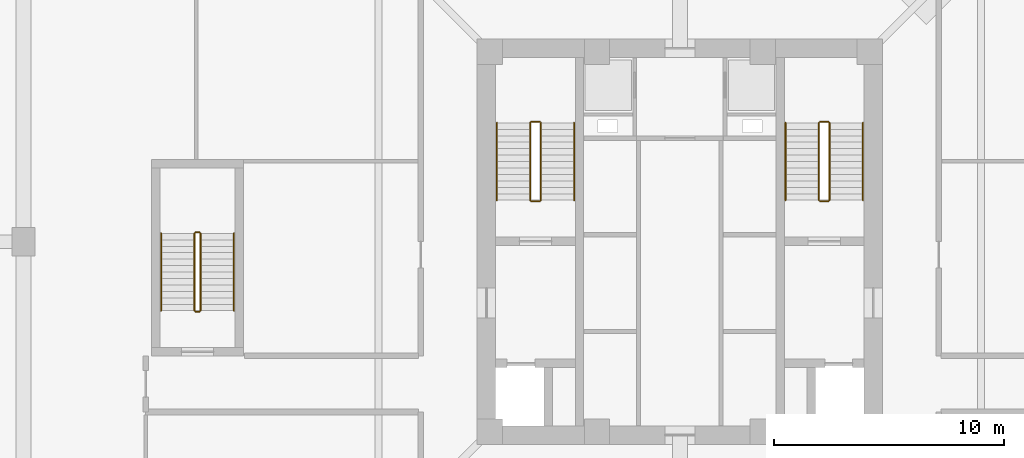
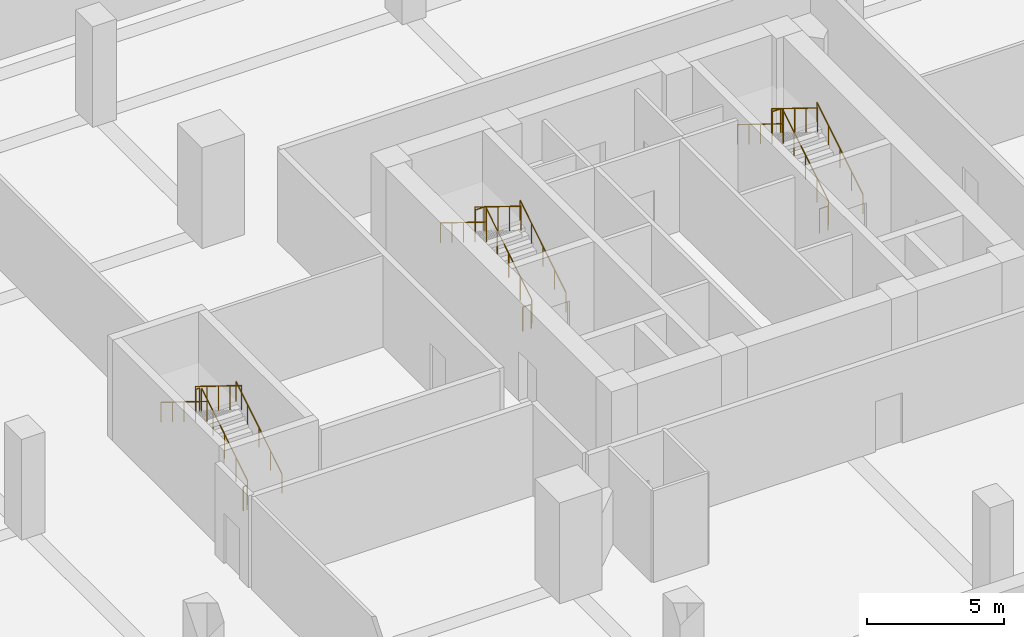
# One storey, part 6 of 9: 18 railings.
"""IFC4 building model written with IfcOpenShell, lengths in metres."""

from ifc_helpers import new_model, si_unit, direction, frame, origin, origin_2d, place, context, subcontext, project, spatial, circle, extrude, source, transform, mapped, material, type_object, element, save


model = new_model("IFC4")

# Units and contexts
model_context = context("Model", 3, precision=1e-05, world=origin(), true_north=direction((0.0, 1.0)))
body_context = subcontext(model_context, "Body", "Model", "MODEL_VIEW")
ifc_project = project(units=[si_unit("LENGTHUNIT", "METRE"), si_unit("AREAUNIT", "SQUARE_METRE"), si_unit("VOLUMEUNIT", "CUBIC_METRE"), si_unit("PLANEANGLEUNIT", "RADIAN"), si_unit("MASSUNIT", "GRAM", prefix="KILO"), si_unit("THERMODYNAMICTEMPERATUREUNIT", "KELVIN")], contexts=[model_context])

# Site, building, storey
site_placement = place(None, origin())
site = spatial("IfcSite", under=ifc_project, at=site_placement, CompositionType="ELEMENT")
building_placement = place(site_placement, origin())
building = spatial("IfcBuilding", under=site, at=building_placement, Name="Kosmvard Interchange Tower", CompositionType="ELEMENT")
storey_placement = place(building_placement, frame((0.0, 0.0, -4.5)))
storey = spatial("IfcBuildingStorey", under=building, at=storey_placement, Name="B01", CompositionType="ELEMENT", Elevation=-4.5)

# Railings
ifc_material = material(Name="Steel S355", Category="steel")
railing_type_1 = type_object("IfcRailingType", Name="Stair & Terrace Safety Guardrail 1100 Steel", PredefinedType="GUARDRAIL", material=ifc_material)
shared_shape_1 = source(origin(), body_context, "Body", "SweptSolid", [
    extrude(circle(Radius=0.02392578125, at=origin_2d()), frame((0.0, 0.0, 1.076171875), z_axis=(0.0, 0.850606129759, 0.525803396734), x_axis=(-1.0, 0.0, 0.0)), (0.0, 0.0, 1.0), 3.949951171875),
    extrude(circle(Radius=0.02099609375, at=origin_2d()), origin(), (0.0, 0.0, 1.0), 1.052001953125),
    extrude(circle(Radius=0.02099609375, at=origin_2d()), frame((0.0, 0.83984375, 0.519287109375)), (0.0, 0.0, 1.0), 1.052001953125),
    extrude(circle(Radius=0.02099609375, at=origin_2d()), frame((0.0, 1.679931640625, 1.03857421875)), (0.0, 0.0, 1.0), 1.052001953125),
    extrude(circle(Radius=0.02099609375, at=origin_2d()), frame((0.0, 2.52001953125, 1.5576171875)), (0.0, 0.0, 1.0), 1.052001953125),
    extrude(circle(Radius=0.02099609375, at=origin_2d()), frame((0.0, 3.35986328125, 2.076904296875)), (0.0, 0.0, 1.0), 1.052001953125),
])
for number, where, name in (
    (1, (-6.0400390625, 1.800048828125, 0.173095703125), "B01 ST-1 stair guard 1"),
    (2, (6.5, 1.800048828125, 0.173095703125), "B01 ST-2 stair guard 1"),
):
    element("IfcRailing", number, at=place(storey_placement, frame(where)), inside=storey, type_object=railing_type_1, Name=name, PredefinedType="GUARDRAIL", context=body_context, shape_type="MappedRepresentation", body=[
        mapped(shared_shape_1, transform((0.0, 0.0, 0.0), scale=1.0)),
    ])
shared_shape_2 = source(origin(), body_context, "Body", "SweptSolid", [
    extrude(circle(Radius=0.02392578125, at=origin_2d()), frame((0.0, 0.0, 1.076171875), z_axis=(-1.0, 0.0, 0.0), x_axis=(0.0, -1.0, 0.0)), (0.0, 0.0, 1.0), 0.35986328125),
    extrude(circle(Radius=0.02099609375, at=origin_2d()), origin(), (0.0, 0.0, 1.0), 1.052001953125),
    extrude(circle(Radius=0.02099609375, at=origin_2d()), frame((-0.35986328125, 0.0, 0.0)), (0.0, 0.0, 1.0), 1.052001953125),
])
for number, where, name in (
    (3, (-6.090087890625, 5.2099609375, 2.25), "B01 ST-1 stair guard 2"),
    (4, (-6.090087890625, 1.75, 0.0), "B01 ST-1 stair guard 4"),
    (5, (6.449951171875, 5.2099609375, 2.25), "B01 ST-2 stair guard 2"),
    (6, (6.449951171875, 1.75, 0.0), "B01 ST-2 stair guard 4"),
):
    element("IfcRailing", number, at=place(storey_placement, frame(where)), inside=storey, type_object=railing_type_1, Name=name, PredefinedType="GUARDRAIL", context=body_context, shape_type="MappedRepresentation", body=[
        mapped(shared_shape_2, transform((0.0, 0.0, 0.0), scale=1.0)),
    ])
shared_shape_3 = source(origin(), body_context, "Body", "SweptSolid", [
    extrude(circle(Radius=0.02392578125, at=origin_2d()), frame((0.0, 0.0, 1.076171875), z_axis=(0.0, -0.850606129759, 0.525803396734), x_axis=(1.0, 0.0, 0.0)), (0.0, 0.0, 1.0), 3.949951171875),
    extrude(circle(Radius=0.02099609375, at=origin_2d()), origin(), (0.0, 0.0, 1.0), 1.052001953125),
    extrude(circle(Radius=0.02099609375, at=origin_2d()), frame((0.0, -0.83984375, 0.519287109375)), (0.0, 0.0, 1.0), 1.052001953125),
    extrude(circle(Radius=0.02099609375, at=origin_2d()), frame((0.0, -1.679931640625, 1.03857421875)), (0.0, 0.0, 1.0), 1.052001953125),
    extrude(circle(Radius=0.02099609375, at=origin_2d()), frame((0.0, -2.52001953125, 1.5576171875)), (0.0, 0.0, 1.0), 1.052001953125),
    extrude(circle(Radius=0.02099609375, at=origin_2d()), frame((0.0, -3.35986328125, 2.076904296875)), (0.0, 0.0, 1.0), 1.052001953125),
])
for number, where, name in (
    (7, (-6.5, 5.159912109375, 2.423095703125), "B01 ST-1 stair guard 3"),
    (8, (6.0400390625, 5.159912109375, 2.423095703125), "B01 ST-2 stair guard 3"),
):
    element("IfcRailing", number, at=place(storey_placement, frame(where)), inside=storey, type_object=railing_type_1, Name=name, PredefinedType="GUARDRAIL", context=body_context, shape_type="MappedRepresentation", body=[
        mapped(shared_shape_3, transform((0.0, 0.0, 0.0), scale=1.0)),
    ])
railing_type_2 = type_object("IfcRailingType", Name="Wall-Mounted Stair Handrail 900 Steel", PredefinedType="HANDRAIL", material=ifc_material)
shared_shape_4 = source(origin(), body_context, "Body", "SweptSolid", [
    extrude(circle(Radius=0.02392578125, at=origin_2d()), frame((0.0, 0.0, 0.8759765625), z_axis=(0.0, 0.850606129759, 0.525803396734), x_axis=(-1.0, 0.0, 0.0)), (0.0, 0.0, 1.0), 3.949951171875),
    extrude(circle(Radius=0.02099609375, at=origin_2d()), origin(), (0.0, 0.0, 1.0), 0.851806640625),
    extrude(circle(Radius=0.02099609375, at=origin_2d()), frame((0.0, 0.83984375, 0.519287109375)), (0.0, 0.0, 1.0), 0.851806640625),
    extrude(circle(Radius=0.02099609375, at=origin_2d()), frame((0.0, 1.679931640625, 1.03857421875)), (0.0, 0.0, 1.0), 0.851806640625),
    extrude(circle(Radius=0.02099609375, at=origin_2d()), frame((0.0, 2.52001953125, 1.5576171875)), (0.0, 0.0, 1.0), 0.851806640625),
    extrude(circle(Radius=0.02099609375, at=origin_2d()), frame((0.0, 3.35986328125, 2.076904296875)), (0.0, 0.0, 1.0), 0.851806640625),
])
for number, where, name in (
    (9, (-4.590087890625, 1.800048828125, 0.173095703125), "B01 ST-1 stair handrail 1"),
    (10, (7.949951171875, 1.800048828125, 0.173095703125), "B01 ST-2 stair handrail 1"),
):
    element("IfcRailing", number, at=place(storey_placement, frame(where)), inside=storey, type_object=railing_type_2, Name=name, PredefinedType="HANDRAIL", context=body_context, shape_type="MappedRepresentation", body=[
        mapped(shared_shape_4, transform((0.0, 0.0, 0.0), scale=1.0)),
    ])
shared_shape_5 = source(origin(), body_context, "Body", "SweptSolid", [
    extrude(circle(Radius=0.02392578125, at=origin_2d()), frame((0.0, 0.0, 0.8759765625), z_axis=(0.0, -0.850606129759, 0.525803396734), x_axis=(1.0, 0.0, 0.0)), (0.0, 0.0, 1.0), 3.949951171875),
    extrude(circle(Radius=0.02099609375, at=origin_2d()), origin(), (0.0, 0.0, 1.0), 0.851806640625),
    extrude(circle(Radius=0.02099609375, at=origin_2d()), frame((0.0, -0.83984375, 0.519287109375)), (0.0, 0.0, 1.0), 0.851806640625),
    extrude(circle(Radius=0.02099609375, at=origin_2d()), frame((0.0, -1.679931640625, 1.03857421875)), (0.0, 0.0, 1.0), 0.851806640625),
    extrude(circle(Radius=0.02099609375, at=origin_2d()), frame((0.0, -2.52001953125, 1.5576171875)), (0.0, 0.0, 1.0), 0.851806640625),
    extrude(circle(Radius=0.02099609375, at=origin_2d()), frame((0.0, -3.35986328125, 2.076904296875)), (0.0, 0.0, 1.0), 0.851806640625),
])
for number, where, name in (
    (11, (-7.949951171875, 5.159912109375, 2.423095703125), "B01 ST-1 stair handrail 2"),
    (12, (4.590087890625, 5.159912109375, 2.423095703125), "B01 ST-2 stair handrail 2"),
):
    element("IfcRailing", number, at=place(storey_placement, frame(where)), inside=storey, type_object=railing_type_2, Name=name, PredefinedType="HANDRAIL", context=body_context, shape_type="MappedRepresentation", body=[
        mapped(shared_shape_5, transform((0.0, 0.0, 0.0), scale=1.0)),
    ])
shared_shape_6 = source(origin(), body_context, "Body", "SweptSolid", [
    extrude(circle(Radius=0.02392578125, at=origin_2d()), frame((0.0, 0.0, 1.076171875), z_axis=(0.0, 0.850623216509, 0.525775754039), x_axis=(-1.0, 0.0, 0.0)), (0.0, 0.0, 1.0), 3.9501953125),
    extrude(circle(Radius=0.02099609375, at=origin_2d()), origin(), (0.0, 0.0, 1.0), 1.052001953125),
    extrude(circle(Radius=0.02099609375, at=origin_2d()), frame((0.0, 0.840087890625, 0.519287109375)), (0.0, 0.0, 1.0), 1.052001953125),
    extrude(circle(Radius=0.02099609375, at=origin_2d()), frame((0.0, 1.68017578125, 1.03857421875)), (0.0, 0.0, 1.0), 1.052001953125),
    extrude(circle(Radius=0.02099609375, at=origin_2d()), frame((0.0, 2.52001953125, 1.5576171875)), (0.0, 0.0, 1.0), 1.052001953125),
    extrude(circle(Radius=0.02099609375, at=origin_2d()), frame((0.0, 3.360107421875, 2.076904296875)), (0.0, 0.0, 1.0), 1.052001953125),
])
railing_1_placement = place(storey_placement, frame((-20.820068359375, -3.0, 0.173095703125)))
element("IfcRailing", 13, at=railing_1_placement, inside=storey, type_object=railing_type_1, Name="B01 ST-3 stair guard 1", PredefinedType="GUARDRAIL", context=body_context, shape_type="MappedRepresentation", body=[
    mapped(shared_shape_6, transform((0.0, 0.0, 0.0), scale=1.0)),
])
shared_shape_7 = source(origin(), body_context, "Body", "SweptSolid", [
    extrude(circle(Radius=0.02392578125, at=origin_2d()), frame((0.0, 0.0, 1.076171875), z_axis=(-1.0, 0.0, 0.0), x_axis=(0.0, -1.0, 0.0)), (0.0, 0.0, 1.0), 0.159912109375),
    extrude(circle(Radius=0.02099609375, at=origin_2d()), origin(), (0.0, 0.0, 1.0), 1.052001953125),
    extrude(circle(Radius=0.02099609375, at=origin_2d()), frame((-0.159912109375, 0.0, 0.0)), (0.0, 0.0, 1.0), 1.052001953125),
])
for number, where, name in (
    (14, (-20.8701171875, 0.409912109375, 2.25), "B01 ST-3 stair guard 2"),
    (15, (-20.8701171875, -3.050048828125, 0.0), "B01 ST-3 stair guard 4"),
):
    element("IfcRailing", number, at=place(storey_placement, frame(where)), inside=storey, type_object=railing_type_1, Name=name, PredefinedType="GUARDRAIL", context=body_context, shape_type="MappedRepresentation", body=[
        mapped(shared_shape_7, transform((0.0, 0.0, 0.0), scale=1.0)),
    ])
shared_shape_8 = source(origin(), body_context, "Body", "SweptSolid", [
    extrude(circle(Radius=0.02392578125, at=origin_2d()), frame((0.0, 0.0, 1.076171875), z_axis=(0.0, -0.850623216509, 0.525775754039), x_axis=(1.0, 0.0, 0.0)), (0.0, 0.0, 1.0), 3.9501953125),
    extrude(circle(Radius=0.02099609375, at=origin_2d()), origin(), (0.0, 0.0, 1.0), 1.052001953125),
    extrude(circle(Radius=0.02099609375, at=origin_2d()), frame((0.0, -0.840087890625, 0.519287109375)), (0.0, 0.0, 1.0), 1.052001953125),
    extrude(circle(Radius=0.02099609375, at=origin_2d()), frame((0.0, -1.68017578125, 1.03857421875)), (0.0, 0.0, 1.0), 1.052001953125),
    extrude(circle(Radius=0.02099609375, at=origin_2d()), frame((0.0, -2.52001953125, 1.5576171875)), (0.0, 0.0, 1.0), 1.052001953125),
    extrude(circle(Radius=0.02099609375, at=origin_2d()), frame((0.0, -3.360107421875, 2.076904296875)), (0.0, 0.0, 1.0), 1.052001953125),
])
railing_2_placement = place(storey_placement, frame((-21.080078125, 0.360107421875, 2.423095703125)))
element("IfcRailing", 16, at=railing_2_placement, inside=storey, type_object=railing_type_1, Name="B01 ST-3 stair guard 3", PredefinedType="GUARDRAIL", context=body_context, shape_type="MappedRepresentation", body=[
    mapped(shared_shape_8, transform((0.0, 0.0, 0.0), scale=1.0)),
])
shared_shape_9 = source(origin(), body_context, "Body", "SweptSolid", [
    extrude(circle(Radius=0.02392578125, at=origin_2d()), frame((0.0, 0.0, 0.8759765625), z_axis=(0.0, 0.850623216509, 0.525775754039), x_axis=(-1.0, 0.0, 0.0)), (0.0, 0.0, 1.0), 3.9501953125),
    extrude(circle(Radius=0.02099609375, at=origin_2d()), origin(), (0.0, 0.0, 1.0), 0.851806640625),
    extrude(circle(Radius=0.02099609375, at=origin_2d()), frame((0.0, 0.840087890625, 0.519287109375)), (0.0, 0.0, 1.0), 0.851806640625),
    extrude(circle(Radius=0.02099609375, at=origin_2d()), frame((0.0, 1.68017578125, 1.03857421875)), (0.0, 0.0, 1.0), 0.851806640625),
    extrude(circle(Radius=0.02099609375, at=origin_2d()), frame((0.0, 2.52001953125, 1.5576171875)), (0.0, 0.0, 1.0), 0.851806640625),
    extrude(circle(Radius=0.02099609375, at=origin_2d()), frame((0.0, 3.360107421875, 2.076904296875)), (0.0, 0.0, 1.0), 0.851806640625),
])
railing_3_placement = place(storey_placement, frame((-19.3701171875, -3.0, 0.173095703125)))
element("IfcRailing", 17, at=railing_3_placement, inside=storey, type_object=railing_type_2, Name="B01 ST-3 stair handrail 1", PredefinedType="HANDRAIL", context=body_context, shape_type="MappedRepresentation", body=[
    mapped(shared_shape_9, transform((0.0, 0.0, 0.0), scale=1.0)),
])
shared_shape_10 = source(origin(), body_context, "Body", "SweptSolid", [
    extrude(circle(Radius=0.02392578125, at=origin_2d()), frame((0.0, 0.0, 0.8759765625), z_axis=(0.0, -0.850623216509, 0.525775754039), x_axis=(1.0, 0.0, 0.0)), (0.0, 0.0, 1.0), 3.9501953125),
    extrude(circle(Radius=0.02099609375, at=origin_2d()), origin(), (0.0, 0.0, 1.0), 0.851806640625),
    extrude(circle(Radius=0.02099609375, at=origin_2d()), frame((0.0, -0.840087890625, 0.519287109375)), (0.0, 0.0, 1.0), 0.851806640625),
    extrude(circle(Radius=0.02099609375, at=origin_2d()), frame((0.0, -1.68017578125, 1.03857421875)), (0.0, 0.0, 1.0), 0.851806640625),
    extrude(circle(Radius=0.02099609375, at=origin_2d()), frame((0.0, -2.52001953125, 1.5576171875)), (0.0, 0.0, 1.0), 0.851806640625),
    extrude(circle(Radius=0.02099609375, at=origin_2d()), frame((0.0, -3.360107421875, 2.076904296875)), (0.0, 0.0, 1.0), 0.851806640625),
])
railing_4_placement = place(storey_placement, frame((-22.530029296875, 0.360107421875, 2.423095703125)))
element("IfcRailing", 18, at=railing_4_placement, inside=storey, type_object=railing_type_2, Name="B01 ST-3 stair handrail 2", PredefinedType="HANDRAIL", context=body_context, shape_type="MappedRepresentation", body=[
    mapped(shared_shape_10, transform((0.0, 0.0, 0.0), scale=1.0)),
])

save(model, "model.ifc")
